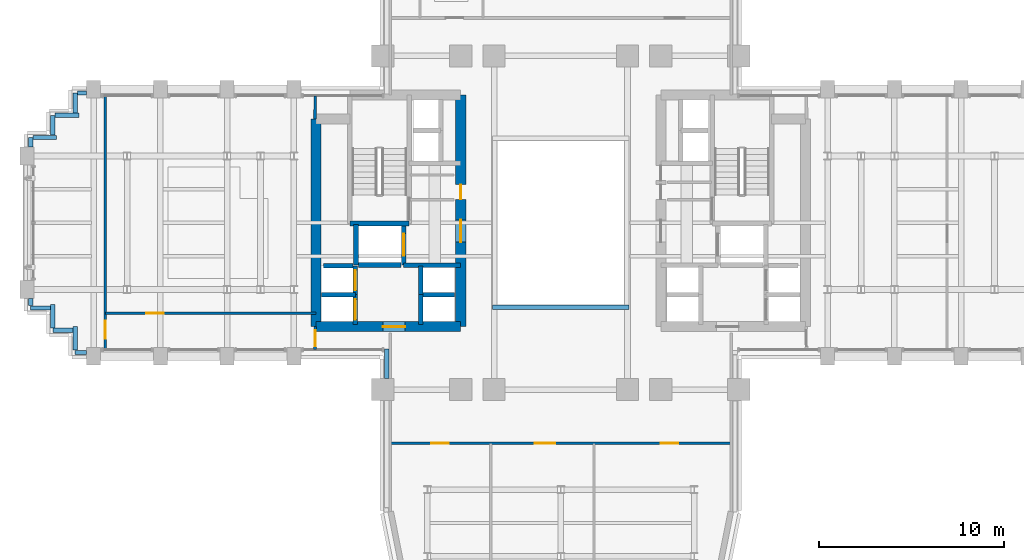
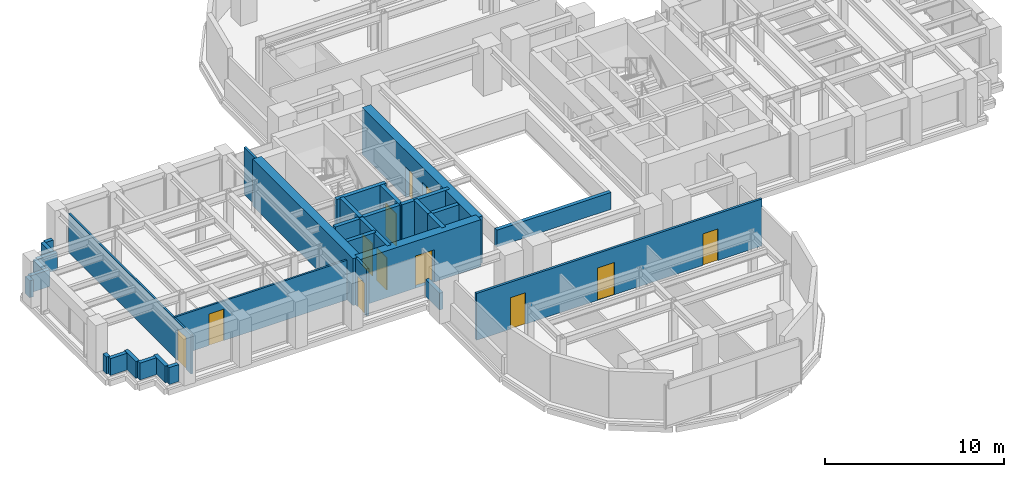
# One storey, part 10 of 16: 34 walls, 12 doors, 12 openings.
"""IFC4 building model written with IfcOpenShell, lengths in metres."""

from ifc_helpers import new_model, si_unit, direction, frame, frame_2d, origin, place, context, subcontext, project, spatial, rectangle, extrude, source, transform, mapped, material, layer, layer_set, type_object, element, fill, save


model = new_model("IFC4")

# Units and contexts
model_context = context("Model", 3, precision=1e-05, world=origin(), true_north=direction((0.0, 1.0)))
body_context = subcontext(model_context, "Body", "Model", "MODEL_VIEW")
ifc_project = project(units=[si_unit("LENGTHUNIT", "METRE"), si_unit("AREAUNIT", "SQUARE_METRE"), si_unit("VOLUMEUNIT", "CUBIC_METRE"), si_unit("PLANEANGLEUNIT", "RADIAN"), si_unit("MASSUNIT", "GRAM", prefix="KILO")], contexts=[model_context])

# Site, building, storey
site_placement = place(None, origin())
site = spatial("IfcSite", under=ifc_project, at=site_placement, CompositionType="ELEMENT")
building_placement = place(site_placement, origin())
building = spatial("IfcBuilding", under=site, at=building_placement, Name="Keilestroom Media Tower", CompositionType="ELEMENT")
storey_placement = place(building_placement, frame((0.0, 0.0, 51.0)))
storey = spatial("IfcBuildingStorey", under=building, at=storey_placement, Name="L12", CompositionType="ELEMENT", Elevation=51.0)

# Wall, opening, door
ifc_material_1 = material(Name="Gypsum Plasterboard & Steel Stud", Category="steel")
ifc_layer_1 = layer(ifc_material_1, 0.1201171875)
ifc_layer_set_1 = layer_set([ifc_layer_1], Name="Gypsum Plasterboard & Steel Stud")
wall_type_1 = type_object("IfcWallType", Name="Interior-Partition-Wall-120", PredefinedType="PARTITIONING", material=ifc_layer_set_1)
wall_1_placement = place(storey_placement, frame((-24.570068359375, -4.8798828125, 0.0), z_axis=(0.0, 0.0, 1.0), x_axis=(1.0, 0.0, 0.0)))
wall_1 = element("IfcWall", 1, at=wall_1_placement, inside=storey, type_object=wall_type_1, Name="L12 Interior Wall WP-L12-WA-CN", PredefinedType="PARTITIONING", context=body_context, shape_type="SweptSolid", body=[
    extrude(rectangle(XDim=11.3701171875, YDim=0.1201171875, at=frame_2d((5.68505859375, 0.0))), origin(), (0.0, 0.0, 1.0), 2.699951171875),
])
opening_1_placement = place(wall_1_placement, frame((2.199951171875, 0.0, 0.0)))
opening_1 = element("IfcOpeningElement", 2, at=opening_1_placement, cuts=wall_1, Name="Opening DI-03", PredefinedType="OPENING", context=body_context, shape_type="SweptSolid", body=[
    extrude(rectangle(XDim=0.949951171875, YDim=2.14990234375, at=frame_2d((0.47509765625, 1.074951171875))), frame((0.0, 0.070068359375, 0.0), z_axis=(0.0, -1.0, 0.0), x_axis=(1.0, 0.0, 0.0)), (0.0, 0.0, 1.0), 0.14013671875),
])
ifc_material_2 = material(Name="Lacquered European Oak Leaf", Category="wood")
door_type_1 = type_object("IfcDoorType", Name="Interior-Room-And-Suite-Door-DI-03", OperationType="NOTDEFINED", PredefinedType="DOOR", material=ifc_material_2)
shared_shape_1 = source(origin(), body_context, "Body", "SweptSolid", [
    extrude(rectangle(XDim=0.949951171875, YDim=2.14990234375, at=frame_2d((0.47509765625, 1.074951171875))), frame((0.0, 0.02490234375, 0.0), z_axis=(0.0, -1.0, 0.0), x_axis=(1.0, 0.0, 0.0)), (0.0, 0.0, 1.0), 0.050048828125),
])
door_1_placement = place(opening_1_placement, origin())
door_1 = element("IfcDoor", 3, at=door_1_placement, inside=storey, type_object=door_type_1, Name="L12 Interior Door DI-L12-DWA-RN", OperationType="SINGLE_SWING_RIGHT", OverallHeight=2.14990234375, OverallWidth=0.949951171875, PredefinedType="DOOR", context=body_context, shape_type="MappedRepresentation", body=[
    mapped(shared_shape_1, transform((0.0, 0.0, 0.0), x_axis=(1.0, 0.0, 0.0), y_axis=(0.0, 1.0, 0.0), z_axis=(0.0, 0.0, 1.0), scale=1.0)),
])
fill(opening_1, door_1)

wall_2_placement = place(storey_placement, frame((-24.570068359375, -6.85009765625, 0.0), z_axis=(0.0, 0.0, 1.0), x_axis=(0.0, 1.0, 0.0)))
wall_2 = element("IfcWall", 4, at=wall_2_placement, inside=storey, type_object=wall_type_1, Name="L12 Interior Wall WP-L12-WA-CE", PredefinedType="PARTITIONING", context=body_context, shape_type="SweptSolid", body=[
    extrude(rectangle(XDim=13.7001953125, YDim=0.1201171875, at=frame_2d((6.85009765625, 0.0))), origin(), (0.0, 0.0, 1.0), 2.64990234375),
])
opening_2_placement = place(wall_2_placement, frame((0.60009765625, 0.0, 0.0)))
opening_2 = element("IfcOpeningElement", 5, at=opening_2_placement, cuts=wall_2, Name="Opening DI-03", PredefinedType="OPENING", context=body_context, shape_type="SweptSolid", body=[
    extrude(rectangle(XDim=0.949951171875, YDim=2.14990234375, at=frame_2d((0.47509765625, 1.074951171875))), frame((0.0, 0.070068359375, 0.0), z_axis=(0.0, -1.0, 0.0), x_axis=(1.0, 0.0, 0.0)), (0.0, 0.0, 1.0), 0.14013671875),
])
door_2_placement = place(opening_2_placement, origin())
door_2 = element("IfcDoor", 6, at=door_2_placement, inside=storey, type_object=door_type_1, Name="L12 Interior Door DI-L12-DWA-END", OperationType="SINGLE_SWING_LEFT", OverallHeight=2.14990234375, OverallWidth=0.949951171875, PredefinedType="DOOR", context=body_context, shape_type="MappedRepresentation", body=[
    mapped(shared_shape_1, transform((0.0, 0.0, 0.0), x_axis=(1.0, 0.0, 0.0), y_axis=(0.0, 1.0, 0.0), z_axis=(0.0, 0.0, 1.0), scale=1.0)),
])
fill(opening_2, door_2)

# Wall, openings, doors
ifc_layer_2 = layer(ifc_material_1, 0.14990234375)
ifc_layer_set_2 = layer_set([ifc_layer_2], Name="Gypsum Plasterboard & Steel Stud")
wall_type_2 = type_object("IfcWallType", Name="Interior-Partition-Wall-150", PredefinedType="PARTITIONING", material=ifc_layer_set_2)
wall_3_placement = place(storey_placement, frame((-9.199951171875, -11.89990234375, 0.0), z_axis=(0.0, 0.0, 1.0), x_axis=(1.0, 0.0, 0.0)))
wall_3 = element("IfcWall", 7, at=wall_3_placement, inside=storey, type_object=wall_type_2, Name="L12 Interior Wall WP-L12-SL-BASE", PredefinedType="PARTITIONING", context=body_context, shape_type="SweptSolid", body=[
    extrude(rectangle(XDim=18.39990234375, YDim=0.14990234375, at=frame_2d((9.199951171875, 0.0))), origin(), (0.0, 0.0, 1.0), 3.199951171875),
])
opening_3_placement = place(wall_3_placement, frame((2.199951171875, 0.0, 0.0)))
opening_3 = element("IfcOpeningElement", 8, at=opening_3_placement, cuts=wall_3, Name="Opening DI-03", PredefinedType="OPENING", context=body_context, shape_type="SweptSolid", body=[
    extrude(rectangle(XDim=0.949951171875, YDim=2.14990234375, at=frame_2d((0.47509765625, 1.074951171875))), frame((0.0, 0.0849609375, 0.0), z_axis=(0.0, -1.0, 0.0), x_axis=(1.0, 0.0, 0.0)), (0.0, 0.0, 1.0), 0.169921875),
])
opening_4_placement = place(wall_3_placement, frame((7.800048828125, 0.0, 0.0)))
opening_4 = element("IfcOpeningElement", 9, at=opening_4_placement, cuts=wall_3, Name="Opening DI-04", PredefinedType="OPENING", context=body_context, shape_type="SweptSolid", body=[
    extrude(rectangle(XDim=1.10009765625, YDim=2.199951171875, at=frame_2d((0.550048828125, 1.10009765625))), frame((0.0, 0.0849609375, 0.0), z_axis=(0.0, -1.0, 0.0), x_axis=(1.0, 0.0, 0.0)), (0.0, 0.0, 1.0), 0.169921875),
])
opening_5_placement = place(wall_3_placement, frame((14.60009765625, 0.0, 0.0)))
opening_5 = element("IfcOpeningElement", 10, at=opening_5_placement, cuts=wall_3, Name="Opening DI-03", PredefinedType="OPENING", context=body_context, shape_type="SweptSolid", body=[
    extrude(rectangle(XDim=0.949951171875, YDim=2.14990234375, at=frame_2d((0.47509765625, 1.074951171875))), frame((0.0, 0.0849609375, 0.0), z_axis=(0.0, -1.0, 0.0), x_axis=(1.0, 0.0, 0.0)), (0.0, 0.0, 1.0), 0.169921875),
])
door_3_placement = place(opening_3_placement, origin())
door_3 = element("IfcDoor", 11, at=door_3_placement, inside=storey, type_object=door_type_1, Name="L12 Interior Door DI-L12-DSL-1", OperationType="SINGLE_SWING_LEFT", OverallHeight=2.14990234375, OverallWidth=0.949951171875, PredefinedType="DOOR", context=body_context, shape_type="MappedRepresentation", body=[
    mapped(shared_shape_1, transform((0.0, 0.0, 0.0), x_axis=(1.0, 0.0, 0.0), y_axis=(0.0, 1.0, 0.0), z_axis=(0.0, 0.0, 1.0), scale=1.0)),
])
fill(opening_3, door_3)
door_4_placement = place(opening_5_placement, origin())
door_4 = element("IfcDoor", 12, at=door_4_placement, inside=storey, type_object=door_type_1, Name="L12 Interior Door DI-L12-DSL-3", OperationType="SINGLE_SWING_LEFT", OverallHeight=2.14990234375, OverallWidth=0.949951171875, PredefinedType="DOOR", context=body_context, shape_type="MappedRepresentation", body=[
    mapped(shared_shape_1, transform((0.0, 0.0, 0.0), x_axis=(1.0, 0.0, 0.0), y_axis=(0.0, 1.0, 0.0), z_axis=(0.0, 0.0, 1.0), scale=1.0)),
])
fill(opening_5, door_4)
ifc_material_3 = material(Name="Acoustic Glazed Aluminium Leaf", Category="aluminium")
door_type_2 = type_object("IfcDoorType", Name="Interior-Room-And-Suite-Door-DI-04", OperationType="NOTDEFINED", PredefinedType="DOOR", material=ifc_material_3)
shared_shape_2 = source(origin(), body_context, "Body", "SweptSolid", [
    extrude(rectangle(XDim=1.10009765625, YDim=2.199951171875, at=frame_2d((0.550048828125, 1.10009765625))), frame((0.0, 0.02490234375, 0.0), z_axis=(0.0, -1.0, 0.0), x_axis=(1.0, 0.0, 0.0)), (0.0, 0.0, 1.0), 0.050048828125),
])
door_5_placement = place(opening_4_placement, origin())
door_5 = element("IfcDoor", 13, at=door_5_placement, inside=storey, type_object=door_type_2, Name="L12 Interior Door DI-L12-DSL-2", OperationType="SINGLE_SWING_RIGHT", OverallHeight=2.199951171875, OverallWidth=1.10009765625, PredefinedType="DOOR", context=body_context, shape_type="MappedRepresentation", body=[
    mapped(shared_shape_2, transform((0.0, 0.0, 0.0), x_axis=(1.0, 0.0, 0.0), y_axis=(0.0, 1.0, 0.0), z_axis=(0.0, 0.0, 1.0), scale=1.0)),
])
fill(opening_4, door_5)

# Wall
wall_4_placement = place(storey_placement, frame((-13.260009765625, 5.60009765625, 0.0), z_axis=(0.0, 0.0, 1.0), x_axis=(0.016013571389, 0.999871774545, 0.0)))
element("IfcWall", 14, at=wall_4_placement, inside=storey, type_object=wall_type_2, Name="L12 Interior Wall WP-L12-WA-ENTN", PredefinedType="PARTITIONING", context=body_context, shape_type="SweptSolid", body=[
    extrude(rectangle(XDim=1.250244140625, YDim=0.14990234375, at=frame_2d((0.625, 0.0))), origin(), (0.0, 0.0, 1.0), 3.199951171875),
])

# Wall, opening, door
wall_5_placement = place(storey_placement, frame((-13.260009765625, -6.85009765625, 0.0), z_axis=(0.0, 0.0, 1.0), x_axis=(0.016013571389, 0.999871774545, 0.0)))
wall_5 = element("IfcWall", 15, at=wall_5_placement, inside=storey, type_object=wall_type_2, Name="L12 Interior Wall WP-L12-WA-ENTS", PredefinedType="PARTITIONING", context=body_context, shape_type="SweptSolid", body=[
    extrude(rectangle(XDim=1.250244140625, YDim=0.14990234375, at=frame_2d((0.625, 0.0))), origin(), (0.0, 0.0, 1.0), 3.199951171875),
])
opening_6_placement = place(wall_5_placement, frame((0.199951171875, 0.0, 0.0)))
opening_6 = element("IfcOpeningElement", 16, at=opening_6_placement, cuts=wall_5, Name="Opening DI-05", PredefinedType="OPENING", context=body_context, shape_type="SweptSolid", body=[
    extrude(rectangle(XDim=0.85009765625, YDim=2.10009765625, at=frame_2d((0.425048828125, 1.050048828125))), frame((0.0, 0.0849609375, 0.0), z_axis=(0.0, -1.0, 0.0), x_axis=(1.0, 0.0, 0.0)), (0.0, 0.0, 1.0), 0.169921875),
])
ifc_material_4 = material(Name="Moisture-Resistant Oak Leaf", Category="wood")
door_type_3 = type_object("IfcDoorType", Name="Interior-En-Suite-And-Cupboard-Door-DI-05", OperationType="NOTDEFINED", PredefinedType="DOOR", material=ifc_material_4)
shared_shape_3 = source(origin(), body_context, "Body", "SweptSolid", [
    extrude(rectangle(XDim=0.85009765625, YDim=2.10009765625, at=frame_2d((0.425048828125, 1.050048828125))), frame((0.0, 0.02490234375, 0.0), z_axis=(0.0, -1.0, 0.0), x_axis=(1.0, 0.0, 0.0)), (0.0, 0.0, 1.0), 0.050048828125),
])
door_6_placement = place(opening_6_placement, origin())
door_6 = element("IfcDoor", 17, at=door_6_placement, inside=storey, type_object=door_type_3, Name="L12 Interior Door DI-L12-DWA-ENTS", OperationType="SINGLE_SWING_RIGHT", OverallHeight=2.10009765625, OverallWidth=0.85009765625, PredefinedType="DOOR", context=body_context, shape_type="MappedRepresentation", body=[
    mapped(shared_shape_3, transform((0.0, 0.0, 0.0), x_axis=(1.0, 0.0, 0.0), y_axis=(0.0, 1.0, 0.0), z_axis=(0.0, 0.0, 1.0), scale=1.0)),
])
fill(opening_6, door_6)

# Wall
ifc_material_5 = material(Name="Concrete C70/85", Category="concrete")
ifc_layer_3 = layer(ifc_material_5, 0.550048828125)
ifc_layer_set_3 = layer_set([ifc_layer_3], Name="Concrete C70/85")
wall_type_3 = type_object("IfcWallType", Name="Reinforced-Concrete-Core-Shear-Wall-550", PredefinedType="SHEAR", material=ifc_layer_set_3)
wall_6_placement = place(storey_placement, frame((-13.199951171875, -5.60009765625, 0.0), z_axis=(0.0, 0.0, 1.0), x_axis=(0.0, 1.0, 0.0)))
element("IfcWall", 18, at=wall_6_placement, inside=storey, type_object=wall_type_3, Name="L12 Core Shear Wall WL-L12-CORE-W-OUT", PredefinedType="SHEAR", context=body_context, shape_type="SweptSolid", body=[
    extrude(rectangle(XDim=11.2001953125, YDim=0.550048828125, at=frame_2d((5.60009765625, 0.0))), origin(), (0.0, 0.0, 1.0), 3.199951171875),
])

# Wall, openings, doors
wall_7_placement = place(storey_placement, frame((-5.39990234375, -5.60009765625, 0.0), z_axis=(0.0, 0.0, 1.0), x_axis=(0.0, 1.0, 0.0)))
wall_7 = element("IfcWall", 19, at=wall_7_placement, inside=storey, type_object=wall_type_3, Name="L12 Core Shear Wall WL-L12-CORE-W-IN", PredefinedType="SHEAR", context=body_context, shape_type="SweptSolid", body=[
    extrude(rectangle(XDim=12.5, YDim=0.550048828125, at=frame_2d((6.25, 0.0))), origin(), (0.0, 0.0, 1.0), 3.199951171875),
])
opening_7_placement = place(wall_7_placement, frame((4.550048828125, 0.0, 0.0)))
opening_7 = element("IfcOpeningElement", 20, at=opening_7_placement, cuts=wall_7, Name="Opening DI-02", PredefinedType="OPENING", context=body_context, shape_type="SweptSolid", body=[
    extrude(rectangle(XDim=1.199951171875, YDim=2.199951171875, at=frame_2d((0.60009765625, 1.10009765625))), frame((0.0, 0.28515625, 0.0), z_axis=(0.0, -1.0, 0.0), x_axis=(1.0, 0.0, 0.0)), (0.0, 0.0, 1.0), 0.570068359375),
])
opening_8_placement = place(wall_7_placement, frame((6.860107421875, 0.0, 0.0)))
opening_8 = element("IfcOpeningElement", 21, at=opening_8_placement, cuts=wall_7, Name="Opening DI-06", PredefinedType="OPENING", context=body_context, shape_type="SweptSolid", body=[
    extrude(rectangle(XDim=0.800048828125, YDim=2.10009765625, at=frame_2d((0.39990234375, 1.050048828125))), frame((0.0, 0.28515625, 0.0), z_axis=(0.0, -1.0, 0.0), x_axis=(1.0, 0.0, 0.0)), (0.0, 0.0, 1.0), 0.570068359375),
])
ifc_material_6 = material(Name="Powder-Coated Steel Fire Leaf", Category="steel")
door_type_4 = type_object("IfcDoorType", Name="Interior-Compartment-Fire-Door-DI-02", OperationType="NOTDEFINED", PredefinedType="DOOR", material=ifc_material_6)
shared_shape_4 = source(origin(), body_context, "Body", "SweptSolid", [
    extrude(rectangle(XDim=1.199951171875, YDim=2.199951171875, at=frame_2d((0.60009765625, 1.10009765625))), frame((0.0, 0.02490234375, 0.0), z_axis=(0.0, -1.0, 0.0), x_axis=(1.0, 0.0, 0.0)), (0.0, 0.0, 1.0), 0.050048828125),
])
door_7_placement = place(opening_7_placement, origin())
door_7 = element("IfcDoor", 22, at=door_7_placement, inside=storey, type_object=door_type_4, Name="L12 W Firefighting Lobby Door", OperationType="SINGLE_SWING_RIGHT", OverallHeight=2.199951171875, OverallWidth=1.199951171875, PredefinedType="DOOR", context=body_context, shape_type="MappedRepresentation", body=[
    mapped(shared_shape_4, transform((0.0, 0.0, 0.0), x_axis=(1.0, 0.0, 0.0), y_axis=(0.0, 1.0, 0.0), z_axis=(0.0, 0.0, 1.0), scale=1.0)),
])
fill(opening_7, door_7)
ifc_material_7 = material(Name="Powder-Coated Steel Service Leaf", Category="steel")
door_type_5 = type_object("IfcDoorType", Name="Interior-Riser-Access-Door-DI-06", OperationType="NOTDEFINED", PredefinedType="DOOR", material=ifc_material_7)
shared_shape_5 = source(origin(), body_context, "Body", "SweptSolid", [
    extrude(rectangle(XDim=0.800048828125, YDim=2.10009765625, at=frame_2d((0.39990234375, 1.050048828125))), frame((0.0, 0.02490234375, 0.0), z_axis=(0.0, -1.0, 0.0), x_axis=(1.0, 0.0, 0.0)), (0.0, 0.0, 1.0), 0.050048828125),
])
door_8_placement = place(opening_8_placement, origin())
door_8 = element("IfcDoor", 23, at=door_8_placement, inside=storey, type_object=door_type_5, Name="L12 West Core Switchroom Door", OperationType="SINGLE_SWING_LEFT", OverallHeight=2.10009765625, OverallWidth=0.800048828125, PredefinedType="DOOR", context=body_context, shape_type="MappedRepresentation", body=[
    mapped(shared_shape_5, transform((0.0, 0.0, 0.0), x_axis=(1.0, 0.0, 0.0), y_axis=(0.0, 1.0, 0.0), z_axis=(0.0, 0.0, 1.0), scale=1.0)),
])
fill(opening_8, door_8)

# Wall, opening, door
wall_8_placement = place(storey_placement, frame((-13.199951171875, -5.60009765625, 0.0), z_axis=(0.0, 0.0, 1.0), x_axis=(1.0, 0.0, 0.0)))
wall_8 = element("IfcWall", 24, at=wall_8_placement, inside=storey, type_object=wall_type_3, Name="L12 Core Shear Wall WL-L12-CORE-W-S", PredefinedType="SHEAR", context=body_context, shape_type="SweptSolid", body=[
    extrude(rectangle(XDim=7.800048828125, YDim=0.550048828125, at=frame_2d((3.89990234375, 0.0))), origin(), (0.0, 0.0, 1.0), 3.199951171875),
])
opening_9_placement = place(wall_8_placement, frame((3.60009765625, 0.0, 0.0)))
opening_9 = element("IfcOpeningElement", 25, at=opening_9_placement, cuts=wall_8, Name="Opening DI-02", PredefinedType="OPENING", context=body_context, shape_type="SweptSolid", body=[
    extrude(rectangle(XDim=1.199951171875, YDim=2.199951171875, at=frame_2d((0.60009765625, 1.10009765625))), frame((0.0, 0.28515625, 0.0), z_axis=(0.0, -1.0, 0.0), x_axis=(1.0, 0.0, 0.0)), (0.0, 0.0, 1.0), 0.570068359375),
])
door_9_placement = place(opening_9_placement, origin())
door_9 = element("IfcDoor", 26, at=door_9_placement, inside=storey, type_object=door_type_4, Name="L12 W Passenger Lift Lobby Door", OperationType="SINGLE_SWING_LEFT", OverallHeight=2.199951171875, OverallWidth=1.199951171875, PredefinedType="DOOR", context=body_context, shape_type="MappedRepresentation", body=[
    mapped(shared_shape_4, transform((0.0, 0.0, 0.0), x_axis=(1.0, 0.0, 0.0), y_axis=(0.0, 1.0, 0.0), z_axis=(0.0, 0.0, 1.0), scale=1.0)),
])
fill(opening_9, door_9)

# Walls
ifc_material_8 = material(Name="Concrete C50/60", Category="concrete")
ifc_layer_4 = layer(ifc_material_8, 0.25)
ifc_layer_set_4 = layer_set([ifc_layer_4], Name="Concrete C50/60")
wall_type_4 = type_object("IfcWallType", Name="Reinforced-Concrete-Shaft-Wall-250", PredefinedType="SOLIDWALL", material=ifc_layer_set_4)
wall_9_placement = place(storey_placement, frame((-8.47998046875, -2.300048828125, 0.0), z_axis=(0.0, 0.0, 1.0), x_axis=(1.0, 0.0, 0.0)))
element("IfcWall", 27, at=wall_9_placement, inside=storey, type_object=wall_type_4, Name="L12 Core Shear Wall WL-L12-CORE-W-FFS", PredefinedType="SOLIDWALL", context=body_context, shape_type="SweptSolid", body=[
    extrude(rectangle(XDim=3.080078125, YDim=0.25, at=frame_2d((1.5400390625, 0.0))), origin(), (0.0, 0.0, 1.0), 3.199951171875),
])
wall_10_placement = place(storey_placement, frame((-11.381103515625, -0.041015625, 0.0), z_axis=(0.0, 0.0, 1.0), x_axis=(1.0, 0.0, 0.0)))
element("IfcWall", 28, at=wall_10_placement, inside=storey, type_object=wall_type_4, Name="L12 Core Shear Wall WL-L12-STW-W-S", PredefinedType="SOLIDWALL", context=body_context, shape_type="SweptSolid", body=[
    extrude(rectangle(XDim=3.2021484375, YDim=0.25, at=frame_2d((1.60107421875, 0.0))), origin(), (0.0, 0.0, 1.0), 3.199951171875),
])
wall_11_placement = place(storey_placement, frame((-11.050048828125, -2.280029296875, 0.0), z_axis=(0.0, 0.0, 1.0), x_axis=(0.0, 1.0, 0.0)))
element("IfcWall", 29, at=wall_11_placement, inside=storey, type_object=wall_type_4, Name="L12 Core Shear Wall WL-L12-LSH-FFL-1-W", PredefinedType="SOLIDWALL", context=body_context, shape_type="SweptSolid", body=[
    extrude(rectangle(XDim=2.179931640625, YDim=0.25, at=frame_2d((1.08984375, 0.0))), origin(), (0.0, 0.0, 1.0), 3.199951171875),
])

# Wall, opening, door
wall_12_placement = place(storey_placement, frame((-8.47998046875, -2.280029296875, 0.0), z_axis=(0.0, 0.0, 1.0), x_axis=(0.0, 1.0, 0.0)))
wall_12 = element("IfcWall", 30, at=wall_12_placement, inside=storey, type_object=wall_type_4, Name="L12 Core Shear Wall WL-L12-LSH-FFL-1-E", PredefinedType="SOLIDWALL", context=body_context, shape_type="SweptSolid", body=[
    extrude(rectangle(XDim=2.179931640625, YDim=0.25, at=frame_2d((1.08984375, 0.0))), origin(), (0.0, 0.0, 1.0), 3.199951171875),
])
opening_10_placement = place(wall_12_placement, frame((0.489990234375, 0.0, 0.0)))
opening_10 = element("IfcOpeningElement", 31, at=opening_10_placement, cuts=wall_12, Name="Opening LD-02", PredefinedType="OPENING", context=body_context, shape_type="SweptSolid", body=[
    extrude(rectangle(XDim=1.199951171875, YDim=2.199951171875, at=frame_2d((0.60009765625, 1.10009765625))), frame((0.0, 0.135009765625, 0.0), z_axis=(0.0, -1.0, 0.0), x_axis=(1.0, 0.0, 0.0)), (0.0, 0.0, 1.0), 0.27001953125),
])
ifc_material_9 = material(Name="Brushed Stainless Steel Sliding Leaf", Category="steel")
door_type_6 = type_object("IfcDoorType", Name="Lift-Landing-Sliding-Door-LD-02", OperationType="SLIDING_TO_RIGHT", PredefinedType="DOOR", material=ifc_material_9)
door_10_placement = place(opening_10_placement, origin())
door_10 = element("IfcDoor", 32, at=door_10_placement, inside=storey, type_object=door_type_6, Name="L12 Lift FFL-1 Landing Sliding Door", OperationType="SLIDING_TO_RIGHT", OverallHeight=2.199951171875, OverallWidth=1.199951171875, PredefinedType="DOOR", context=body_context, shape_type="MappedRepresentation", body=[
    mapped(shared_shape_4, transform((0.0, 0.0, 0.0), x_axis=(1.0, 0.0, 0.0), y_axis=(0.0, 1.0, 0.0), z_axis=(0.0, 0.0, 1.0), scale=1.0)),
])
fill(opening_10, door_10)

# Wall
wall_13_placement = place(storey_placement, frame((-10.9208984375, -2.280029296875, 0.0), z_axis=(0.0, 0.0, 1.0), x_axis=(1.0, 0.0, 0.0)))
element("IfcWall", 33, at=wall_13_placement, inside=storey, type_object=wall_type_4, Name="L12 Core Shear Wall WL-L12-LSH-FFL-1-S", PredefinedType="SOLIDWALL", context=body_context, shape_type="SweptSolid", body=[
    extrude(rectangle(XDim=2.31201171875, YDim=0.25, at=frame_2d((1.156005859375, 0.0))), origin(), (0.0, 0.0, 1.0), 3.199951171875),
])

# Wall, opening, door
wall_14_placement = place(storey_placement, frame((-11.080078125, -5.47998046875, 0.0), z_axis=(0.0, 0.0, 1.0), x_axis=(0.0, 1.0, 0.0)))
wall_14 = element("IfcWall", 34, at=wall_14_placement, inside=storey, type_object=wall_type_4, Name="L12 Core Shear Wall WL-L12-LSH-PL-L1-E", PredefinedType="SOLIDWALL", context=body_context, shape_type="SweptSolid", body=[
    extrude(rectangle(XDim=1.60009765625, YDim=0.25, at=frame_2d((0.800048828125, 0.0))), origin(), (0.0, 0.0, 1.0), 3.199951171875),
])
opening_11_placement = place(wall_14_placement, frame((0.25, 0.0, 0.0)))
opening_11 = element("IfcOpeningElement", 35, at=opening_11_placement, cuts=wall_14, Name="Opening LD-01", PredefinedType="OPENING", context=body_context, shape_type="SweptSolid", body=[
    extrude(rectangle(XDim=1.10009765625, YDim=2.199951171875, at=frame_2d((0.550048828125, 1.10009765625))), frame((0.0, 0.135009765625, 0.0), z_axis=(0.0, -1.0, 0.0), x_axis=(1.0, 0.0, 0.0)), (0.0, 0.0, 1.0), 0.27001953125),
])
door_type_7 = type_object("IfcDoorType", Name="Lift-Landing-Sliding-Door-LD-01", OperationType="SLIDING_TO_LEFT", PredefinedType="DOOR", material=ifc_material_9)
door_11_placement = place(opening_11_placement, origin())
door_11 = element("IfcDoor", 36, at=door_11_placement, inside=storey, type_object=door_type_7, Name="L12 Lift PL-L1 Landing Sliding Door", OperationType="SLIDING_TO_LEFT", OverallHeight=2.199951171875, OverallWidth=1.10009765625, PredefinedType="DOOR", context=body_context, shape_type="MappedRepresentation", body=[
    mapped(shared_shape_2, transform((0.0, 0.0, 0.0), x_axis=(1.0, 0.0, 0.0), y_axis=(0.0, 1.0, 0.0), z_axis=(0.0, 0.0, 1.0), scale=1.0)),
])
fill(opening_11, door_11)

# Wall
wall_15_placement = place(storey_placement, frame((-12.919921875, -3.8798828125, 0.0), z_axis=(0.0, 0.0, 1.0), x_axis=(1.0, 0.0, 0.0)))
element("IfcWall", 37, at=wall_15_placement, inside=storey, type_object=wall_type_4, Name="L12 Core Shear Wall WL-L12-LSH-PL-L1-N", PredefinedType="SOLIDWALL", context=body_context, shape_type="SweptSolid", body=[
    extrude(rectangle(XDim=1.83984375, YDim=0.25, at=frame_2d((0.919921875, 0.0))), origin(), (0.0, 0.0, 1.0), 3.199951171875),
])

# Wall, opening, door
wall_16_placement = place(storey_placement, frame((-11.080078125, -3.8798828125, 0.0), z_axis=(0.0, 0.0, 1.0), x_axis=(0.0, 1.0, 0.0)))
wall_16 = element("IfcWall", 38, at=wall_16_placement, inside=storey, type_object=wall_type_4, Name="L12 Core Shear Wall WL-L12-LSH-PL-L2-E", PredefinedType="SOLIDWALL", context=body_context, shape_type="SweptSolid", body=[
    extrude(rectangle(XDim=1.559814453125, YDim=0.25, at=frame_2d((0.77978515625, 0.0))), origin(), (0.0, 0.0, 1.0), 3.199951171875),
])
opening_12_placement = place(wall_16_placement, frame((0.22998046875, 0.0, 0.0)))
opening_12 = element("IfcOpeningElement", 39, at=opening_12_placement, cuts=wall_16, Name="Opening LD-01", PredefinedType="OPENING", context=body_context, shape_type="SweptSolid", body=[
    extrude(rectangle(XDim=1.10009765625, YDim=2.199951171875, at=frame_2d((0.550048828125, 1.10009765625))), frame((0.0, 0.135009765625, 0.0), z_axis=(0.0, -1.0, 0.0), x_axis=(1.0, 0.0, 0.0)), (0.0, 0.0, 1.0), 0.27001953125),
])
door_12_placement = place(opening_12_placement, origin())
door_12 = element("IfcDoor", 40, at=door_12_placement, inside=storey, type_object=door_type_7, Name="L12 Lift PL-L2 Landing Sliding Door", OperationType="SLIDING_TO_LEFT", OverallHeight=2.199951171875, OverallWidth=1.10009765625, PredefinedType="DOOR", context=body_context, shape_type="MappedRepresentation", body=[
    mapped(shared_shape_2, transform((0.0, 0.0, 0.0), x_axis=(1.0, 0.0, 0.0), y_axis=(0.0, 1.0, 0.0), z_axis=(0.0, 0.0, 1.0), scale=1.0)),
])
fill(opening_12, door_12)

# Walls
wall_17_placement = place(storey_placement, frame((-12.791015625, -2.320068359375, 0.0), z_axis=(0.0, 0.0, 1.0), x_axis=(1.0, 0.0, 0.0)))
element("IfcWall", 41, at=wall_17_placement, inside=storey, type_object=wall_type_4, Name="L12 Core Shear Wall WL-L12-LSH-PL-L2-N", PredefinedType="SOLIDWALL", context=body_context, shape_type="SweptSolid", body=[
    extrude(rectangle(XDim=1.58203125, YDim=0.25, at=frame_2d((0.791015625, 0.0))), origin(), (0.0, 0.0, 1.0), 3.199951171875),
])
wall_18_placement = place(storey_placement, frame((-7.56005859375, -5.47998046875, 0.0), z_axis=(0.0, 0.0, 1.0), x_axis=(0.0, 1.0, 0.0)))
element("IfcWall", 42, at=wall_18_placement, inside=storey, type_object=wall_type_4, Name="L12 Core Shear Wall WL-L12-LSH-PL-M1-W", PredefinedType="SOLIDWALL", context=body_context, shape_type="SweptSolid", body=[
    extrude(rectangle(XDim=1.60009765625, YDim=0.25, at=frame_2d((0.800048828125, 0.0))), origin(), (0.0, 0.0, 1.0), 3.199951171875),
])
wall_19_placement = place(storey_placement, frame((-7.56005859375, -3.8798828125, 0.0), z_axis=(0.0, 0.0, 1.0), x_axis=(1.0, 0.0, 0.0)))
element("IfcWall", 43, at=wall_19_placement, inside=storey, type_object=wall_type_4, Name="L12 Core Shear Wall WL-L12-LSH-PL-M1-N", PredefinedType="SOLIDWALL", context=body_context, shape_type="SweptSolid", body=[
    extrude(rectangle(XDim=1.840087890625, YDim=0.25, at=frame_2d((0.919921875, 0.0))), origin(), (0.0, 0.0, 1.0), 3.199951171875),
])
wall_20_placement = place(storey_placement, frame((-7.56005859375, -3.8798828125, 0.0), z_axis=(0.0, 0.0, 1.0), x_axis=(0.0, 1.0, 0.0)))
element("IfcWall", 44, at=wall_20_placement, inside=storey, type_object=wall_type_4, Name="L12 Core Shear Wall WL-L12-LSH-PL-M2-W", PredefinedType="SOLIDWALL", context=body_context, shape_type="SweptSolid", body=[
    extrude(rectangle(XDim=1.559814453125, YDim=0.25, at=frame_2d((0.77978515625, 0.0))), origin(), (0.0, 0.0, 1.0), 3.199951171875),
])
ifc_material_10 = material(Name="Precast concrete C40/50", Category="concrete")
ifc_layer_5 = layer(ifc_material_10, 0.239990234375)
ifc_layer_set_5 = layer_set([ifc_layer_5], Name="Precast concrete C40/50")
wall_type_5 = type_object("IfcWallType", Name="Roof-And-Terrace-Parapet-Wall-240", PredefinedType="PARAPET", material=ifc_layer_set_5)
wall_21_placement = place(storey_placement, frame((-9.39990234375, -8.39697265625, 0.0), z_axis=(0.0, 0.0, 1.0), x_axis=(0.0, 1.0, 0.0)))
element("IfcWall", 45, at=wall_21_placement, inside=storey, type_object=wall_type_5, Name="L12 Perimeter Edge Parapet Wall 11", PredefinedType="PARAPET", context=body_context, shape_type="SweptSolid", body=[
    extrude(rectangle(XDim=1.578125, YDim=0.239990234375, at=frame_2d((0.7890625, 0.0))), origin(), (0.0, 0.0, 1.0), 1.14990234375),
])
wall_22_placement = place(storey_placement, frame((-25.577880859375, -7.0, 0.0), z_axis=(0.0, 0.0, 1.0), x_axis=(-1.0, 0.0, 0.0)))
element("IfcWall", 46, at=wall_22_placement, inside=storey, type_object=wall_type_5, Name="L12 Perimeter Edge Parapet Wall 12", PredefinedType="PARAPET", context=body_context, shape_type="SweptSolid", body=[
    extrude(rectangle(XDim=0.6220703125, YDim=0.239990234375, at=frame_2d((0.31103515625, 0.0))), origin(), (0.0, 0.0, 1.0), 1.14990234375),
])
wall_23_placement = place(storey_placement, frame((-26.199951171875, -6.876953125, 0.0), z_axis=(0.0, 0.0, 1.0), x_axis=(0.0, 1.0, 0.0)))
element("IfcWall", 47, at=wall_23_placement, inside=storey, type_object=wall_type_5, Name="L12 Perimeter Edge Parapet Wall 13", PredefinedType="PARAPET", context=body_context, shape_type="SweptSolid", body=[
    extrude(rectangle(XDim=1.27685546875, YDim=0.239990234375, at=frame_2d((0.638427734375, 0.0))), origin(), (0.0, 0.0, 1.0), 1.14990234375),
])
wall_24_placement = place(storey_placement, frame((-26.322998046875, -5.800048828125, 0.0), z_axis=(0.0, 0.0, 1.0), x_axis=(-1.0, 0.0, 0.0)))
element("IfcWall", 48, at=wall_24_placement, inside=storey, type_object=wall_type_5, Name="L12 Perimeter Edge Parapet Wall 14", PredefinedType="PARAPET", context=body_context, shape_type="SweptSolid", body=[
    extrude(rectangle(XDim=1.076904296875, YDim=0.239990234375, at=frame_2d((0.53857421875, 0.0))), origin(), (0.0, 0.0, 1.0), 1.14990234375),
])
wall_25_placement = place(storey_placement, frame((-27.39990234375, -5.677001953125, 0.0), z_axis=(0.0, 0.0, 1.0), x_axis=(0.0, 1.0, 0.0)))
element("IfcWall", 49, at=wall_25_placement, inside=storey, type_object=wall_type_5, Name="L12 Perimeter Edge Parapet Wall 15", PredefinedType="PARAPET", context=body_context, shape_type="SweptSolid", body=[
    extrude(rectangle(XDim=1.277099609375, YDim=0.239990234375, at=frame_2d((0.638671875, 0.0))), origin(), (0.0, 0.0, 1.0), 1.14990234375),
])
wall_26_placement = place(storey_placement, frame((-27.52294921875, -4.60009765625, 0.0), z_axis=(0.0, 0.0, 1.0), x_axis=(-1.0, 0.0, 0.0)))
element("IfcWall", 50, at=wall_26_placement, inside=storey, type_object=wall_type_5, Name="L12 Perimeter Edge Parapet Wall 16", PredefinedType="PARAPET", context=body_context, shape_type="SweptSolid", body=[
    extrude(rectangle(XDim=1.0771484375, YDim=0.239990234375, at=frame_2d((0.53857421875, 0.0))), origin(), (0.0, 0.0, 1.0), 1.14990234375),
])
wall_27_placement = place(storey_placement, frame((-28.60009765625, -4.47705078125, 0.0), z_axis=(0.0, 0.0, 1.0), x_axis=(0.0, 1.0, 0.0)))
element("IfcWall", 51, at=wall_27_placement, inside=storey, type_object=wall_type_5, Name="L12 Perimeter Edge Parapet Wall 17", PredefinedType="PARAPET", context=body_context, shape_type="SweptSolid", body=[
    extrude(rectangle(XDim=0.399169921875, YDim=0.239990234375, at=frame_2d((0.19970703125, 0.0))), origin(), (0.0, 0.0, 1.0), 1.14990234375),
])
wall_28_placement = place(storey_placement, frame((-28.60009765625, 4.077880859375, 0.0), z_axis=(0.0, 0.0, 1.0), x_axis=(0.0, 1.0, 0.0)))
element("IfcWall", 52, at=wall_28_placement, inside=storey, type_object=wall_type_5, Name="L12 Perimeter Edge Parapet Wall 18", PredefinedType="PARAPET", context=body_context, shape_type="SweptSolid", body=[
    extrude(rectangle(XDim=0.522216796875, YDim=0.239990234375, at=frame_2d((0.26123046875, 0.0))), origin(), (0.0, 0.0, 1.0), 1.14990234375),
])
wall_29_placement = place(storey_placement, frame((-28.47705078125, 4.60009765625, 0.0), z_axis=(0.0, 0.0, 1.0), x_axis=(1.0, 0.0, 0.0)))
element("IfcWall", 53, at=wall_29_placement, inside=storey, type_object=wall_type_5, Name="L12 Perimeter Edge Parapet Wall 19", PredefinedType="PARAPET", context=body_context, shape_type="SweptSolid", body=[
    extrude(rectangle(XDim=1.277099609375, YDim=0.239990234375, at=frame_2d((0.638671875, 0.0))), origin(), (0.0, 0.0, 1.0), 1.14990234375),
])
wall_30_placement = place(storey_placement, frame((-27.39990234375, 4.722900390625, 0.0), z_axis=(0.0, 0.0, 1.0), x_axis=(0.0, 1.0, 0.0)))
element("IfcWall", 54, at=wall_30_placement, inside=storey, type_object=wall_type_5, Name="L12 Perimeter Edge Parapet Wall 20", PredefinedType="PARAPET", context=body_context, shape_type="SweptSolid", body=[
    extrude(rectangle(XDim=1.0771484375, YDim=0.239990234375, at=frame_2d((0.53857421875, 0.0))), origin(), (0.0, 0.0, 1.0), 1.14990234375),
])
wall_31_placement = place(storey_placement, frame((-27.277099609375, 5.800048828125, 0.0), z_axis=(0.0, 0.0, 1.0), x_axis=(1.0, 0.0, 0.0)))
element("IfcWall", 55, at=wall_31_placement, inside=storey, type_object=wall_type_5, Name="L12 Perimeter Edge Parapet Wall 21", PredefinedType="PARAPET", context=body_context, shape_type="SweptSolid", body=[
    extrude(rectangle(XDim=1.277099609375, YDim=0.239990234375, at=frame_2d((0.638671875, 0.0))), origin(), (0.0, 0.0, 1.0), 1.14990234375),
])
wall_32_placement = place(storey_placement, frame((-26.199951171875, 5.923095703125, 0.0), z_axis=(0.0, 0.0, 1.0), x_axis=(0.0, 1.0, 0.0)))
element("IfcWall", 56, at=wall_32_placement, inside=storey, type_object=wall_type_5, Name="L12 Perimeter Edge Parapet Wall 22", PredefinedType="PARAPET", context=body_context, shape_type="SweptSolid", body=[
    extrude(rectangle(XDim=1.076904296875, YDim=0.239990234375, at=frame_2d((0.53857421875, 0.0))), origin(), (0.0, 0.0, 1.0), 1.14990234375),
])
wall_33_placement = place(storey_placement, frame((-26.076904296875, 7.0, 0.0), z_axis=(0.0, 0.0, 1.0), x_axis=(1.0, 0.0, 0.0)))
element("IfcWall", 57, at=wall_33_placement, inside=storey, type_object=wall_type_5, Name="L12 Perimeter Edge Parapet Wall 23", PredefinedType="PARAPET", context=body_context, shape_type="SweptSolid", body=[
    extrude(rectangle(XDim=0.4990234375, YDim=0.239990234375, at=frame_2d((0.24951171875, 0.0))), origin(), (0.0, 0.0, 1.0), 1.14990234375),
])
wall_34_placement = place(storey_placement, frame((-3.679931640625, -4.56005859375, 0.0), z_axis=(0.0, 0.0, 1.0), x_axis=(1.0, 0.0, 0.0)))
element("IfcWall", 58, at=wall_34_placement, inside=storey, type_object=wall_type_5, Name="L12 Central Atrium Guard Parapet S", PredefinedType="PARAPET", context=body_context, shape_type="SweptSolid", body=[
    extrude(rectangle(XDim=7.35986328125, YDim=0.239990234375, at=frame_2d((3.679931640625, 0.0))), origin(), (0.0, 0.0, 1.0), 1.14990234375),
])

save(model, "model.ifc")
